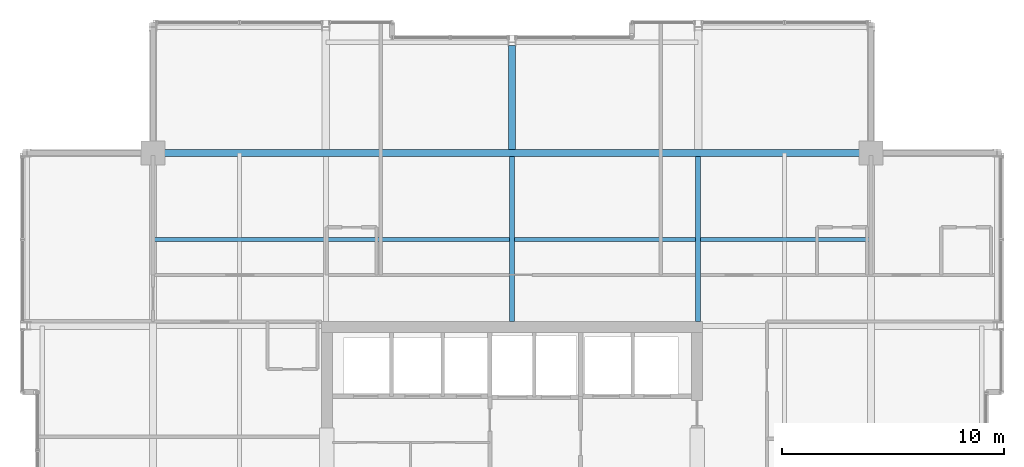
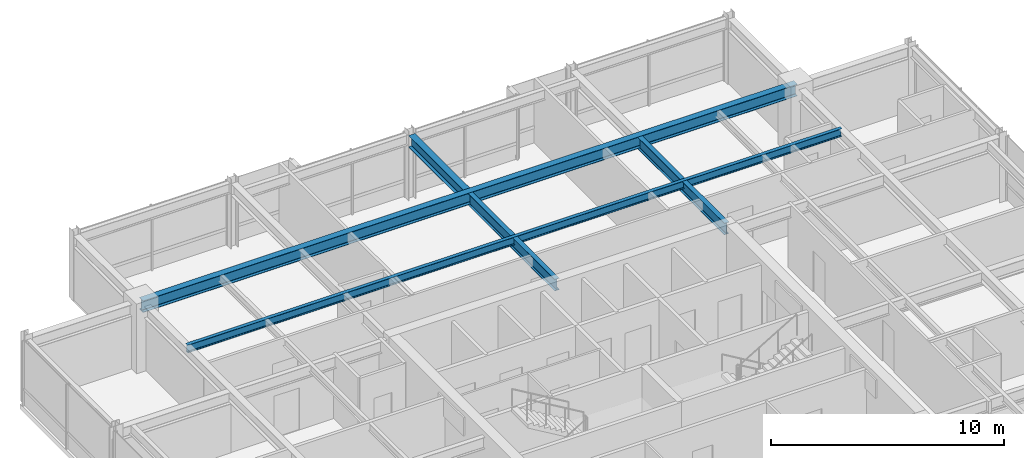
# One storey, part 22 of 34: 5 beams.
"""IFC4 building model written with IfcOpenShell, lengths in metres."""

from ifc_helpers import new_model, si_unit, direction, frame, origin, origin_2d, place, context, subcontext, project, spatial, i_section, extrude, material, material_profile, profile_set, type_object, element, save


model = new_model("IFC4")

# Units and contexts
model_context = context("Model", 3, precision=1e-05, world=origin(), true_north=direction((0.0, 1.0)))
body_context = subcontext(model_context, "Body", "Model", "MODEL_VIEW")
ifc_project = project(units=[si_unit("LENGTHUNIT", "METRE"), si_unit("AREAUNIT", "SQUARE_METRE"), si_unit("VOLUMEUNIT", "CUBIC_METRE"), si_unit("PLANEANGLEUNIT", "RADIAN"), si_unit("MASSUNIT", "GRAM", prefix="KILO")], contexts=[model_context])

# Site, building, storey
site_placement = place(None, origin())
site = spatial("IfcSite", under=ifc_project, at=site_placement, CompositionType="ELEMENT")
building_placement = place(site_placement, origin())
building = spatial("IfcBuilding", under=site, at=building_placement, Name="Drelvath Grand Hotel", CompositionType="ELEMENT")
storey_placement = place(building_placement, frame((0.0, 0.0, 286.89990234375)))
storey = spatial("IfcBuildingStorey", under=building, at=storey_placement, Name="L75", CompositionType="ELEMENT", Elevation=286.89990234375)

# Beams
ifc_material = material(Name="Steel ASTM A992 Gr 50", Category="steel")
ifc_material_profile_1 = material_profile(ifc_material, i_section(OverallWidth=0.177734375, OverallDepth=0.40673828125, WebThickness=0.0078125, FlangeThickness=0.0126953125, FilletRadius=0.014892578125, at=origin_2d()), Name="W16X40")
ifc_profile_set_1 = profile_set([ifc_material_profile_1], Name="Steel ASTM A992 Gr 50")
beam_type_1 = type_object("IfcBeamType", Name="Composite Floor Joist W16X40", PredefinedType="JOIST", material=ifc_profile_set_1)
beam_1_placement = place(storey_placement, frame((-16.199951171875, 39.300048828125, 3.186767578125), z_axis=(1.0, 0.0, 0.0), x_axis=(0.0, 1.0, 0.0)))
element("IfcBeam", 1, at=beam_1_placement, inside=storey, type_object=beam_type_1, Name="L75 Floor Joist J2", PredefinedType="JOIST", context=body_context, shape_type="SweptSolid", body=[
    extrude(i_section(OverallWidth=0.177734375, OverallDepth=0.40673828125, WebThickness=0.0078125, FlangeThickness=0.0126953125, FilletRadius=0.014892578125, at=origin_2d()), origin(), (0.0, 0.0, 1.0), 32.39990234375),
])
ifc_material_profile_2 = material_profile(ifc_material, i_section(OverallWidth=0.323974609375, OverallDepth=0.611083984375, WebThickness=0.0126953125, FlangeThickness=0.01904296875, FilletRadius=0.02197265625, at=origin_2d()), Name="W24X104")
ifc_profile_set_2 = profile_set([ifc_material_profile_2], Name="Steel ASTM A992 Gr 50")
beam_type_2 = type_object("IfcBeamType", Name="Primary Floor Girder W24X104", PredefinedType="BEAM", material=ifc_profile_set_2)
beam_2_placement = place(storey_placement, frame((-16.199951171875, 43.199951171875, 3.084716796875), z_axis=(1.0, 0.0, 0.0), x_axis=(0.0, 1.0, 0.0)))
element("IfcBeam", 2, at=beam_2_placement, inside=storey, type_object=beam_type_2, Name="L75 Mega Ring Girder North", PredefinedType="BEAM", context=body_context, shape_type="SweptSolid", body=[
    extrude(i_section(OverallWidth=0.323974609375, OverallDepth=0.611083984375, WebThickness=0.0126953125, FlangeThickness=0.01904296875, FilletRadius=0.02197265625, at=origin_2d()), origin(), (0.0, 0.0, 1.0), 32.39990234375),
])
beam_3_placement = place(storey_placement, frame((0.0, 43.362060546875, 3.084716796875), z_axis=(0.0, 1.0, 0.0), x_axis=(-1.0, 0.0, 0.0)))
element("IfcBeam", 3, at=beam_3_placement, inside=storey, type_object=beam_type_2, Name="L75 North Wing Girder 5", PredefinedType="BEAM", context=body_context, shape_type="SweptSolid", body=[
    extrude(i_section(OverallWidth=0.323974609375, OverallDepth=0.611083984375, WebThickness=0.0126953125, FlangeThickness=0.01904296875, FilletRadius=0.02197265625, at=origin_2d()), origin(), (0.0, 0.0, 1.0), 4.697998046875),
])
ifc_material_profile_3 = material_profile(ifc_material, i_section(OverallWidth=0.228271484375, OverallDepth=0.607666015625, WebThickness=0.01123046875, FlangeThickness=0.017333984375, FilletRadius=0.02001953125, at=origin_2d()), Name="W24X76")
ifc_profile_set_3 = profile_set([ifc_material_profile_3], Name="Steel ASTM A992 Gr 50")
beam_type_3 = type_object("IfcBeamType", Name="Primary Floor Girder W24X76", PredefinedType="BEAM", material=ifc_profile_set_3)
for number, where, z_axis, x_axis, name in (
    (4, (0.0, 35.60009765625, 3.086181640625), (0.0, 1.0, 0.0), (-1.0, 0.0, 0.0), "L75 North Core Tie 5"),
    (5, (8.39990234375, 35.60009765625, 3.086181640625), (0.0, 1.0, 0.0), (-1.0, 0.0, 0.0), "L75 North Core Tie 6"),
):
    element("IfcBeam", number, at=place(storey_placement, frame(where, z_axis=z_axis, x_axis=x_axis)), inside=storey, type_object=beam_type_3, Name=name, PredefinedType="BEAM", context=body_context, shape_type="SweptSolid", body=[
        extrude(i_section(OverallWidth=0.228271484375, OverallDepth=0.607666015625, WebThickness=0.01123046875, FlangeThickness=0.017333984375, FilletRadius=0.02001953125, at=origin_2d()), origin(), (0.0, 0.0, 1.0), 7.43798828125),
    ])

save(model, "model.ifc")
